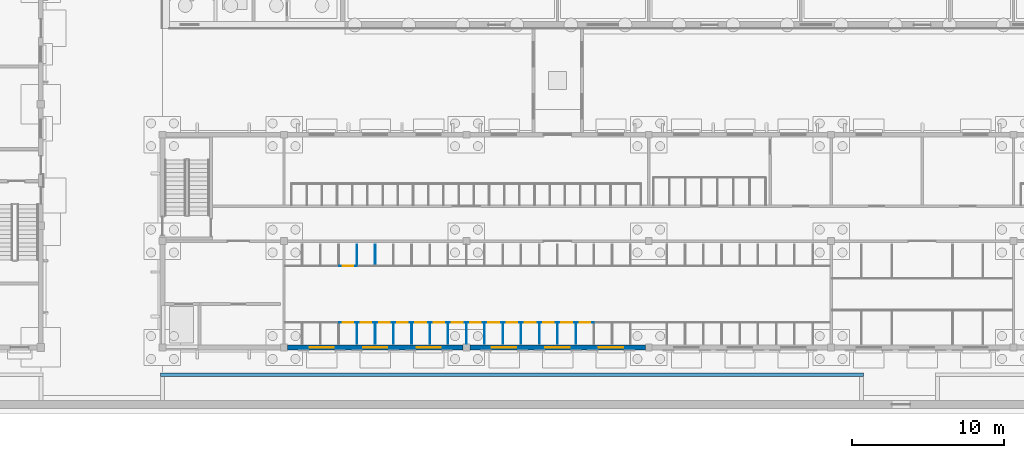
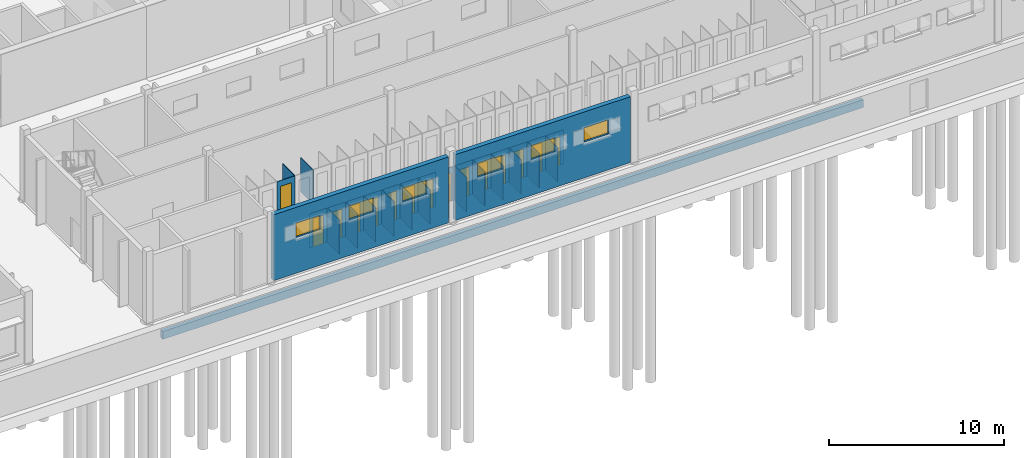
# One storey, part 79 of 157: 33 walls, 15 doors, 6 windows, 21 openings.
"""IFC4 building model written with IfcOpenShell, lengths in metres."""

from ifc_helpers import new_model, si_unit, direction, frame, frame_2d, origin, place, context, subcontext, project, spatial, rectangle, extrude, material, layer, layer_set, type_object, element, fill, save


model = new_model("IFC4")

# Units and contexts
model_context = context("Model", 3, precision=1e-05, world=origin(), true_north=direction((0.0, 1.0)))
body_context = subcontext(model_context, "Body", "Model", "MODEL_VIEW")
ifc_project = project(units=[si_unit("LENGTHUNIT", "METRE"), si_unit("AREAUNIT", "SQUARE_METRE"), si_unit("VOLUMEUNIT", "CUBIC_METRE"), si_unit("PLANEANGLEUNIT", "RADIAN"), si_unit("MASSUNIT", "GRAM", prefix="KILO")], contexts=[model_context])

# Site, building, storey
site_placement = place(None, origin())
site = spatial("IfcSite", under=ifc_project, at=site_placement, CompositionType="ELEMENT")
building_placement = place(site_placement, origin())
building = spatial("IfcBuilding", under=site, at=building_placement, Name="Windward Yard Aquatics Centre", CompositionType="ELEMENT")
storey_placement = place(building_placement, origin())
storey = spatial("IfcBuildingStorey", under=building, at=storey_placement, Name="L00", CompositionType="ELEMENT", Elevation=0.0)

# Walls
ifc_material_1 = material(Name="High-pressure laminate panel on stainless frame")
ifc_layer_1 = layer(ifc_material_1, 0.0400390625)
ifc_layer_set_1 = layer_set([ifc_layer_1], Name="C cubicle panel 40")
wall_type_1 = type_object("IfcWallType", Name="C cubicle panel 40", PredefinedType="PARTITIONING", material=ifc_layer_set_1)
for number, where, z_axis, x_axis, name in (
    (1, (64.800048828125, 5.25, 0.0), (0.0, 0.0, 1.0), (0.0, 1.0, 0.0), "C.W.L00.A.P4"),
    (2, (66.0, 5.25, 0.0), (0.0, 0.0, 1.0), (0.0, 1.0, 0.0), "C.W.L00.A.P5"),
    (3, (67.199951171875, 5.25, 0.0), (0.0, 0.0, 1.0), (0.0, 1.0, 0.0), "C.W.L00.A.P6"),
    (4, (68.39990234375, 5.25, 0.0), (0.0, 0.0, 1.0), (0.0, 1.0, 0.0), "C.W.L00.A.P7"),
    (5, (69.60009765625, 5.25, 0.0), (0.0, 0.0, 1.0), (0.0, 1.0, 0.0), "C.W.L00.A.P8"),
    (6, (70.800048828125, 5.25, 0.0), (0.0, 0.0, 1.0), (0.0, 1.0, 0.0), "C.W.L00.A.P9"),
    (7, (72.0, 5.25, 0.0), (0.0, 0.0, 1.0), (0.0, 1.0, 0.0), "C.W.L00.A.P10"),
    (8, (73.199951171875, 5.25, 0.0), (0.0, 0.0, 1.0), (0.0, 1.0, 0.0), "C.W.L00.A.P11"),
    (9, (74.39990234375, 5.25, 0.0), (0.0, 0.0, 1.0), (0.0, 1.0, 0.0), "C.W.L00.A.P12"),
    (10, (75.60009765625, 5.25, 0.0), (0.0, 0.0, 1.0), (0.0, 1.0, 0.0), "C.W.L00.A.P13"),
    (11, (76.800048828125, 5.25, 0.0), (0.0, 0.0, 1.0), (0.0, 1.0, 0.0), "C.W.L00.A.P14"),
    (12, (78.0, 5.25, 0.0), (0.0, 0.0, 1.0), (0.0, 1.0, 0.0), "C.W.L00.A.P15"),
    (13, (79.199951171875, 5.25, 0.0), (0.0, 0.0, 1.0), (0.0, 1.0, 0.0), "C.W.L00.A.P16"),
):
    element("IfcWall", number, at=place(storey_placement, frame(where, z_axis=z_axis, x_axis=x_axis)), inside=storey, type_object=wall_type_1, Name=name, PredefinedType="PARTITIONING", context=body_context, shape_type="SweptSolid", body=[
        extrude(rectangle(XDim=1.39990234375, YDim=0.0400390625, at=frame_2d((0.699951171875, 0.0))), origin(), (0.0, 0.0, 1.0), 2.39990234375),
    ])

# Wall, opening, door
wall_1_placement = place(storey_placement, frame((63.6201171875, 6.64990234375, 0.0), z_axis=(0.0, 0.0, 1.0), x_axis=(1.0, 0.0, 0.0)))
wall_1 = element("IfcWall", 14, at=wall_1_placement, inside=storey, type_object=wall_type_1, Name="C.W.L00.A.F3", PredefinedType="PARTITIONING", context=body_context, shape_type="SweptSolid", body=[
    extrude(rectangle(XDim=1.159912109375, YDim=0.0400390625, at=frame_2d((0.580078125, 0.0))), origin(), (0.0, 0.0, 1.0), 2.39990234375),
])
opening_1_placement = place(wall_1_placement, frame((0.22998046875, 0.0, 0.0)))
opening_1 = element("IfcOpeningElement", 15, at=opening_1_placement, cuts=wall_1, Name="Opening C0031", PredefinedType="OPENING", context=body_context, shape_type="SweptSolid", body=[
    extrude(rectangle(XDim=0.699951171875, YDim=2.0, at=frame_2d((0.35009765625, 1.0))), frame((0.0, 0.030029296875, 0.0), z_axis=(0.0, -1.0, 0.0), x_axis=(1.0, 0.0, 0.0)), (0.0, 0.0, 1.0), 0.06005859375),
])
ifc_material_2 = material(Name="High-pressure laminate door leaf")
door_type = type_object("IfcDoorType", Name="C door 700X2000 NOT RATED", OperationType="SINGLE_SWING_LEFT", PredefinedType="DOOR", material=ifc_material_2)
door_1_placement = place(opening_1_placement, origin())
door_1 = element("IfcDoor", 16, at=door_1_placement, inside=storey, type_object=door_type, Name="Cubicle door A4", OperationType="SINGLE_SWING_LEFT", OverallHeight=2.0, OverallWidth=0.699951171875, PredefinedType="DOOR", context=body_context, shape_type="SweptSolid", body=[
    extrude(rectangle(XDim=0.699951171875, YDim=2.0, at=frame_2d((0.35009765625, 1.0))), frame((0.0, 0.019775390625, 0.0), z_axis=(0.0, -1.0, 0.0), x_axis=(1.0, 0.0, 0.0)), (0.0, 0.0, 1.0), 0.03955078125),
])
fill(opening_1, door_1)

wall_2_placement = place(storey_placement, frame((64.820068359375, 6.64990234375, 0.0), z_axis=(0.0, 0.0, 1.0), x_axis=(1.0, 0.0, 0.0)))
wall_2 = element("IfcWall", 17, at=wall_2_placement, inside=storey, type_object=wall_type_1, Name="C.W.L00.A.F4", PredefinedType="PARTITIONING", context=body_context, shape_type="SweptSolid", body=[
    extrude(rectangle(XDim=1.159912109375, YDim=0.0400390625, at=frame_2d((0.580078125, 0.0))), origin(), (0.0, 0.0, 1.0), 2.39990234375),
])
opening_2_placement = place(wall_2_placement, frame((0.22998046875, 0.0, 0.0)))
opening_2 = element("IfcOpeningElement", 18, at=opening_2_placement, cuts=wall_2, Name="Opening C0032", PredefinedType="OPENING", context=body_context, shape_type="SweptSolid", body=[
    extrude(rectangle(XDim=0.699951171875, YDim=2.0, at=frame_2d((0.35009765625, 1.0))), frame((0.0, 0.030029296875, 0.0), z_axis=(0.0, -1.0, 0.0), x_axis=(1.0, 0.0, 0.0)), (0.0, 0.0, 1.0), 0.06005859375),
])
door_2_placement = place(opening_2_placement, origin())
door_2 = element("IfcDoor", 19, at=door_2_placement, inside=storey, type_object=door_type, Name="Cubicle door A5", OperationType="SINGLE_SWING_LEFT", OverallHeight=2.0, OverallWidth=0.699951171875, PredefinedType="DOOR", context=body_context, shape_type="SweptSolid", body=[
    extrude(rectangle(XDim=0.699951171875, YDim=2.0, at=frame_2d((0.35009765625, 1.0))), frame((0.0, 0.019775390625, 0.0), z_axis=(0.0, -1.0, 0.0), x_axis=(1.0, 0.0, 0.0)), (0.0, 0.0, 1.0), 0.03955078125),
])
fill(opening_2, door_2)

wall_3_placement = place(storey_placement, frame((66.02001953125, 6.64990234375, 0.0), z_axis=(0.0, 0.0, 1.0), x_axis=(1.0, 0.0, 0.0)))
wall_3 = element("IfcWall", 20, at=wall_3_placement, inside=storey, type_object=wall_type_1, Name="C.W.L00.A.F5", PredefinedType="PARTITIONING", context=body_context, shape_type="SweptSolid", body=[
    extrude(rectangle(XDim=1.159912109375, YDim=0.0400390625, at=frame_2d((0.580078125, 0.0))), origin(), (0.0, 0.0, 1.0), 2.39990234375),
])
opening_3_placement = place(wall_3_placement, frame((0.22998046875, 0.0, 0.0)))
opening_3 = element("IfcOpeningElement", 21, at=opening_3_placement, cuts=wall_3, Name="Opening C0033", PredefinedType="OPENING", context=body_context, shape_type="SweptSolid", body=[
    extrude(rectangle(XDim=0.699951171875, YDim=2.0, at=frame_2d((0.35009765625, 1.0))), frame((0.0, 0.030029296875, 0.0), z_axis=(0.0, -1.0, 0.0), x_axis=(1.0, 0.0, 0.0)), (0.0, 0.0, 1.0), 0.06005859375),
])
door_3_placement = place(opening_3_placement, origin())
door_3 = element("IfcDoor", 22, at=door_3_placement, inside=storey, type_object=door_type, Name="Cubicle door A6", OperationType="SINGLE_SWING_LEFT", OverallHeight=2.0, OverallWidth=0.699951171875, PredefinedType="DOOR", context=body_context, shape_type="SweptSolid", body=[
    extrude(rectangle(XDim=0.699951171875, YDim=2.0, at=frame_2d((0.35009765625, 1.0))), frame((0.0, 0.019775390625, 0.0), z_axis=(0.0, -1.0, 0.0), x_axis=(1.0, 0.0, 0.0)), (0.0, 0.0, 1.0), 0.03955078125),
])
fill(opening_3, door_3)

wall_4_placement = place(storey_placement, frame((67.219970703125, 6.64990234375, 0.0), z_axis=(0.0, 0.0, 1.0), x_axis=(1.0, 0.0, 0.0)))
wall_4 = element("IfcWall", 23, at=wall_4_placement, inside=storey, type_object=wall_type_1, Name="C.W.L00.A.F6", PredefinedType="PARTITIONING", context=body_context, shape_type="SweptSolid", body=[
    extrude(rectangle(XDim=1.159912109375, YDim=0.0400390625, at=frame_2d((0.580078125, 0.0))), origin(), (0.0, 0.0, 1.0), 2.39990234375),
])
opening_4_placement = place(wall_4_placement, frame((0.22998046875, 0.0, 0.0)))
opening_4 = element("IfcOpeningElement", 24, at=opening_4_placement, cuts=wall_4, Name="Opening C0034", PredefinedType="OPENING", context=body_context, shape_type="SweptSolid", body=[
    extrude(rectangle(XDim=0.699951171875, YDim=2.0, at=frame_2d((0.35009765625, 1.0))), frame((0.0, 0.030029296875, 0.0), z_axis=(0.0, -1.0, 0.0), x_axis=(1.0, 0.0, 0.0)), (0.0, 0.0, 1.0), 0.06005859375),
])
door_4_placement = place(opening_4_placement, origin())
door_4 = element("IfcDoor", 25, at=door_4_placement, inside=storey, type_object=door_type, Name="Cubicle door A7", OperationType="SINGLE_SWING_LEFT", OverallHeight=2.0, OverallWidth=0.699951171875, PredefinedType="DOOR", context=body_context, shape_type="SweptSolid", body=[
    extrude(rectangle(XDim=0.699951171875, YDim=2.0, at=frame_2d((0.35009765625, 1.0))), frame((0.0, 0.019775390625, 0.0), z_axis=(0.0, -1.0, 0.0), x_axis=(1.0, 0.0, 0.0)), (0.0, 0.0, 1.0), 0.03955078125),
])
fill(opening_4, door_4)

wall_5_placement = place(storey_placement, frame((68.419921875, 6.64990234375, 0.0), z_axis=(0.0, 0.0, 1.0), x_axis=(1.0, 0.0, 0.0)))
wall_5 = element("IfcWall", 26, at=wall_5_placement, inside=storey, type_object=wall_type_1, Name="C.W.L00.A.F7", PredefinedType="PARTITIONING", context=body_context, shape_type="SweptSolid", body=[
    extrude(rectangle(XDim=1.16015625, YDim=0.0400390625, at=frame_2d((0.580078125, 0.0))), origin(), (0.0, 0.0, 1.0), 2.39990234375),
])
opening_5_placement = place(wall_5_placement, frame((0.22998046875, 0.0, 0.0)))
opening_5 = element("IfcOpeningElement", 27, at=opening_5_placement, cuts=wall_5, Name="Opening C0035", PredefinedType="OPENING", context=body_context, shape_type="SweptSolid", body=[
    extrude(rectangle(XDim=0.699951171875, YDim=2.0, at=frame_2d((0.35009765625, 1.0))), frame((0.0, 0.030029296875, 0.0), z_axis=(0.0, -1.0, 0.0), x_axis=(1.0, 0.0, 0.0)), (0.0, 0.0, 1.0), 0.06005859375),
])
door_5_placement = place(opening_5_placement, origin())
door_5 = element("IfcDoor", 28, at=door_5_placement, inside=storey, type_object=door_type, Name="Cubicle door A8", OperationType="SINGLE_SWING_LEFT", OverallHeight=2.0, OverallWidth=0.699951171875, PredefinedType="DOOR", context=body_context, shape_type="SweptSolid", body=[
    extrude(rectangle(XDim=0.699951171875, YDim=2.0, at=frame_2d((0.35009765625, 1.0))), frame((0.0, 0.019775390625, 0.0), z_axis=(0.0, -1.0, 0.0), x_axis=(1.0, 0.0, 0.0)), (0.0, 0.0, 1.0), 0.03955078125),
])
fill(opening_5, door_5)

wall_6_placement = place(storey_placement, frame((69.6201171875, 6.64990234375, 0.0), z_axis=(0.0, 0.0, 1.0), x_axis=(1.0, 0.0, 0.0)))
wall_6 = element("IfcWall", 29, at=wall_6_placement, inside=storey, type_object=wall_type_1, Name="C.W.L00.A.F8", PredefinedType="PARTITIONING", context=body_context, shape_type="SweptSolid", body=[
    extrude(rectangle(XDim=1.159912109375, YDim=0.0400390625, at=frame_2d((0.580078125, 0.0))), origin(), (0.0, 0.0, 1.0), 2.39990234375),
])
opening_6_placement = place(wall_6_placement, frame((0.22998046875, 0.0, 0.0)))
opening_6 = element("IfcOpeningElement", 30, at=opening_6_placement, cuts=wall_6, Name="Opening C0036", PredefinedType="OPENING", context=body_context, shape_type="SweptSolid", body=[
    extrude(rectangle(XDim=0.699951171875, YDim=2.0, at=frame_2d((0.35009765625, 1.0))), frame((0.0, 0.030029296875, 0.0), z_axis=(0.0, -1.0, 0.0), x_axis=(1.0, 0.0, 0.0)), (0.0, 0.0, 1.0), 0.06005859375),
])
door_6_placement = place(opening_6_placement, origin())
door_6 = element("IfcDoor", 31, at=door_6_placement, inside=storey, type_object=door_type, Name="Cubicle door A9", OperationType="SINGLE_SWING_LEFT", OverallHeight=2.0, OverallWidth=0.699951171875, PredefinedType="DOOR", context=body_context, shape_type="SweptSolid", body=[
    extrude(rectangle(XDim=0.699951171875, YDim=2.0, at=frame_2d((0.35009765625, 1.0))), frame((0.0, 0.019775390625, 0.0), z_axis=(0.0, -1.0, 0.0), x_axis=(1.0, 0.0, 0.0)), (0.0, 0.0, 1.0), 0.03955078125),
])
fill(opening_6, door_6)

wall_7_placement = place(storey_placement, frame((70.820068359375, 6.64990234375, 0.0), z_axis=(0.0, 0.0, 1.0), x_axis=(1.0, 0.0, 0.0)))
wall_7 = element("IfcWall", 32, at=wall_7_placement, inside=storey, type_object=wall_type_1, Name="C.W.L00.A.F9", PredefinedType="PARTITIONING", context=body_context, shape_type="SweptSolid", body=[
    extrude(rectangle(XDim=1.159912109375, YDim=0.0400390625, at=frame_2d((0.580078125, 0.0))), origin(), (0.0, 0.0, 1.0), 2.39990234375),
])
opening_7_placement = place(wall_7_placement, frame((0.22998046875, 0.0, 0.0)))
opening_7 = element("IfcOpeningElement", 33, at=opening_7_placement, cuts=wall_7, Name="Opening C0037", PredefinedType="OPENING", context=body_context, shape_type="SweptSolid", body=[
    extrude(rectangle(XDim=0.699951171875, YDim=2.0, at=frame_2d((0.35009765625, 1.0))), frame((0.0, 0.030029296875, 0.0), z_axis=(0.0, -1.0, 0.0), x_axis=(1.0, 0.0, 0.0)), (0.0, 0.0, 1.0), 0.06005859375),
])
door_7_placement = place(opening_7_placement, origin())
door_7 = element("IfcDoor", 34, at=door_7_placement, inside=storey, type_object=door_type, Name="Cubicle door A10", OperationType="SINGLE_SWING_LEFT", OverallHeight=2.0, OverallWidth=0.699951171875, PredefinedType="DOOR", context=body_context, shape_type="SweptSolid", body=[
    extrude(rectangle(XDim=0.699951171875, YDim=2.0, at=frame_2d((0.35009765625, 1.0))), frame((0.0, 0.019775390625, 0.0), z_axis=(0.0, -1.0, 0.0), x_axis=(1.0, 0.0, 0.0)), (0.0, 0.0, 1.0), 0.03955078125),
])
fill(opening_7, door_7)

wall_8_placement = place(storey_placement, frame((72.02001953125, 6.64990234375, 0.0), z_axis=(0.0, 0.0, 1.0), x_axis=(1.0, 0.0, 0.0)))
wall_8 = element("IfcWall", 35, at=wall_8_placement, inside=storey, type_object=wall_type_1, Name="C.W.L00.A.F10", PredefinedType="PARTITIONING", context=body_context, shape_type="SweptSolid", body=[
    extrude(rectangle(XDim=1.159912109375, YDim=0.0400390625, at=frame_2d((0.580078125, 0.0))), origin(), (0.0, 0.0, 1.0), 2.39990234375),
])
opening_8_placement = place(wall_8_placement, frame((0.22998046875, 0.0, 0.0)))
opening_8 = element("IfcOpeningElement", 36, at=opening_8_placement, cuts=wall_8, Name="Opening C0038", PredefinedType="OPENING", context=body_context, shape_type="SweptSolid", body=[
    extrude(rectangle(XDim=0.699951171875, YDim=2.0, at=frame_2d((0.35009765625, 1.0))), frame((0.0, 0.030029296875, 0.0), z_axis=(0.0, -1.0, 0.0), x_axis=(1.0, 0.0, 0.0)), (0.0, 0.0, 1.0), 0.06005859375),
])
door_8_placement = place(opening_8_placement, origin())
door_8 = element("IfcDoor", 37, at=door_8_placement, inside=storey, type_object=door_type, Name="Cubicle door A11", OperationType="SINGLE_SWING_LEFT", OverallHeight=2.0, OverallWidth=0.699951171875, PredefinedType="DOOR", context=body_context, shape_type="SweptSolid", body=[
    extrude(rectangle(XDim=0.699951171875, YDim=2.0, at=frame_2d((0.35009765625, 1.0))), frame((0.0, 0.019775390625, 0.0), z_axis=(0.0, -1.0, 0.0), x_axis=(1.0, 0.0, 0.0)), (0.0, 0.0, 1.0), 0.03955078125),
])
fill(opening_8, door_8)

wall_9_placement = place(storey_placement, frame((73.219970703125, 6.64990234375, 0.0), z_axis=(0.0, 0.0, 1.0), x_axis=(1.0, 0.0, 0.0)))
wall_9 = element("IfcWall", 38, at=wall_9_placement, inside=storey, type_object=wall_type_1, Name="C.W.L00.A.F11", PredefinedType="PARTITIONING", context=body_context, shape_type="SweptSolid", body=[
    extrude(rectangle(XDim=1.159912109375, YDim=0.0400390625, at=frame_2d((0.580078125, 0.0))), origin(), (0.0, 0.0, 1.0), 2.39990234375),
])
opening_9_placement = place(wall_9_placement, frame((0.22998046875, 0.0, 0.0)))
opening_9 = element("IfcOpeningElement", 39, at=opening_9_placement, cuts=wall_9, Name="Opening C0039", PredefinedType="OPENING", context=body_context, shape_type="SweptSolid", body=[
    extrude(rectangle(XDim=0.699951171875, YDim=2.0, at=frame_2d((0.35009765625, 1.0))), frame((0.0, 0.030029296875, 0.0), z_axis=(0.0, -1.0, 0.0), x_axis=(1.0, 0.0, 0.0)), (0.0, 0.0, 1.0), 0.06005859375),
])
door_9_placement = place(opening_9_placement, origin())
door_9 = element("IfcDoor", 40, at=door_9_placement, inside=storey, type_object=door_type, Name="Cubicle door A12", OperationType="SINGLE_SWING_LEFT", OverallHeight=2.0, OverallWidth=0.699951171875, PredefinedType="DOOR", context=body_context, shape_type="SweptSolid", body=[
    extrude(rectangle(XDim=0.699951171875, YDim=2.0, at=frame_2d((0.35009765625, 1.0))), frame((0.0, 0.019775390625, 0.0), z_axis=(0.0, -1.0, 0.0), x_axis=(1.0, 0.0, 0.0)), (0.0, 0.0, 1.0), 0.03955078125),
])
fill(opening_9, door_9)

wall_10_placement = place(storey_placement, frame((74.419921875, 6.64990234375, 0.0), z_axis=(0.0, 0.0, 1.0), x_axis=(1.0, 0.0, 0.0)))
wall_10 = element("IfcWall", 41, at=wall_10_placement, inside=storey, type_object=wall_type_1, Name="C.W.L00.A.F12", PredefinedType="PARTITIONING", context=body_context, shape_type="SweptSolid", body=[
    extrude(rectangle(XDim=1.16015625, YDim=0.0400390625, at=frame_2d((0.580078125, 0.0))), origin(), (0.0, 0.0, 1.0), 2.39990234375),
])
opening_10_placement = place(wall_10_placement, frame((0.22998046875, 0.0, 0.0)))
opening_10 = element("IfcOpeningElement", 42, at=opening_10_placement, cuts=wall_10, Name="Opening C0040", PredefinedType="OPENING", context=body_context, shape_type="SweptSolid", body=[
    extrude(rectangle(XDim=0.699951171875, YDim=2.0, at=frame_2d((0.35009765625, 1.0))), frame((0.0, 0.030029296875, 0.0), z_axis=(0.0, -1.0, 0.0), x_axis=(1.0, 0.0, 0.0)), (0.0, 0.0, 1.0), 0.06005859375),
])
door_10_placement = place(opening_10_placement, origin())
door_10 = element("IfcDoor", 43, at=door_10_placement, inside=storey, type_object=door_type, Name="Cubicle door A13", OperationType="SINGLE_SWING_LEFT", OverallHeight=2.0, OverallWidth=0.699951171875, PredefinedType="DOOR", context=body_context, shape_type="SweptSolid", body=[
    extrude(rectangle(XDim=0.699951171875, YDim=2.0, at=frame_2d((0.35009765625, 1.0))), frame((0.0, 0.019775390625, 0.0), z_axis=(0.0, -1.0, 0.0), x_axis=(1.0, 0.0, 0.0)), (0.0, 0.0, 1.0), 0.03955078125),
])
fill(opening_10, door_10)

wall_11_placement = place(storey_placement, frame((75.6201171875, 6.64990234375, 0.0), z_axis=(0.0, 0.0, 1.0), x_axis=(1.0, 0.0, 0.0)))
wall_11 = element("IfcWall", 44, at=wall_11_placement, inside=storey, type_object=wall_type_1, Name="C.W.L00.A.F13", PredefinedType="PARTITIONING", context=body_context, shape_type="SweptSolid", body=[
    extrude(rectangle(XDim=1.159912109375, YDim=0.0400390625, at=frame_2d((0.580078125, 0.0))), origin(), (0.0, 0.0, 1.0), 2.39990234375),
])
opening_11_placement = place(wall_11_placement, frame((0.22998046875, 0.0, 0.0)))
opening_11 = element("IfcOpeningElement", 45, at=opening_11_placement, cuts=wall_11, Name="Opening C0041", PredefinedType="OPENING", context=body_context, shape_type="SweptSolid", body=[
    extrude(rectangle(XDim=0.699951171875, YDim=2.0, at=frame_2d((0.35009765625, 1.0))), frame((0.0, 0.030029296875, 0.0), z_axis=(0.0, -1.0, 0.0), x_axis=(1.0, 0.0, 0.0)), (0.0, 0.0, 1.0), 0.06005859375),
])
door_11_placement = place(opening_11_placement, origin())
door_11 = element("IfcDoor", 46, at=door_11_placement, inside=storey, type_object=door_type, Name="Cubicle door A14", OperationType="SINGLE_SWING_LEFT", OverallHeight=2.0, OverallWidth=0.699951171875, PredefinedType="DOOR", context=body_context, shape_type="SweptSolid", body=[
    extrude(rectangle(XDim=0.699951171875, YDim=2.0, at=frame_2d((0.35009765625, 1.0))), frame((0.0, 0.019775390625, 0.0), z_axis=(0.0, -1.0, 0.0), x_axis=(1.0, 0.0, 0.0)), (0.0, 0.0, 1.0), 0.03955078125),
])
fill(opening_11, door_11)

wall_12_placement = place(storey_placement, frame((76.820068359375, 6.64990234375, 0.0), z_axis=(0.0, 0.0, 1.0), x_axis=(1.0, 0.0, 0.0)))
wall_12 = element("IfcWall", 47, at=wall_12_placement, inside=storey, type_object=wall_type_1, Name="C.W.L00.A.F14", PredefinedType="PARTITIONING", context=body_context, shape_type="SweptSolid", body=[
    extrude(rectangle(XDim=1.159912109375, YDim=0.0400390625, at=frame_2d((0.580078125, 0.0))), origin(), (0.0, 0.0, 1.0), 2.39990234375),
])
opening_12_placement = place(wall_12_placement, frame((0.22998046875, 0.0, 0.0)))
opening_12 = element("IfcOpeningElement", 48, at=opening_12_placement, cuts=wall_12, Name="Opening C0042", PredefinedType="OPENING", context=body_context, shape_type="SweptSolid", body=[
    extrude(rectangle(XDim=0.699951171875, YDim=2.0, at=frame_2d((0.35009765625, 1.0))), frame((0.0, 0.030029296875, 0.0), z_axis=(0.0, -1.0, 0.0), x_axis=(1.0, 0.0, 0.0)), (0.0, 0.0, 1.0), 0.06005859375),
])
door_12_placement = place(opening_12_placement, origin())
door_12 = element("IfcDoor", 49, at=door_12_placement, inside=storey, type_object=door_type, Name="Cubicle door A15", OperationType="SINGLE_SWING_LEFT", OverallHeight=2.0, OverallWidth=0.699951171875, PredefinedType="DOOR", context=body_context, shape_type="SweptSolid", body=[
    extrude(rectangle(XDim=0.699951171875, YDim=2.0, at=frame_2d((0.35009765625, 1.0))), frame((0.0, 0.019775390625, 0.0), z_axis=(0.0, -1.0, 0.0), x_axis=(1.0, 0.0, 0.0)), (0.0, 0.0, 1.0), 0.03955078125),
])
fill(opening_12, door_12)

wall_13_placement = place(storey_placement, frame((78.02001953125, 6.64990234375, 0.0), z_axis=(0.0, 0.0, 1.0), x_axis=(1.0, 0.0, 0.0)))
wall_13 = element("IfcWall", 50, at=wall_13_placement, inside=storey, type_object=wall_type_1, Name="C.W.L00.A.F15", PredefinedType="PARTITIONING", context=body_context, shape_type="SweptSolid", body=[
    extrude(rectangle(XDim=1.159912109375, YDim=0.0400390625, at=frame_2d((0.580078125, 0.0))), origin(), (0.0, 0.0, 1.0), 2.39990234375),
])
opening_13_placement = place(wall_13_placement, frame((0.22998046875, 0.0, 0.0)))
opening_13 = element("IfcOpeningElement", 51, at=opening_13_placement, cuts=wall_13, Name="Opening C0043", PredefinedType="OPENING", context=body_context, shape_type="SweptSolid", body=[
    extrude(rectangle(XDim=0.699951171875, YDim=2.0, at=frame_2d((0.35009765625, 1.0))), frame((0.0, 0.030029296875, 0.0), z_axis=(0.0, -1.0, 0.0), x_axis=(1.0, 0.0, 0.0)), (0.0, 0.0, 1.0), 0.06005859375),
])
door_13_placement = place(opening_13_placement, origin())
door_13 = element("IfcDoor", 52, at=door_13_placement, inside=storey, type_object=door_type, Name="Cubicle door A16", OperationType="SINGLE_SWING_LEFT", OverallHeight=2.0, OverallWidth=0.699951171875, PredefinedType="DOOR", context=body_context, shape_type="SweptSolid", body=[
    extrude(rectangle(XDim=0.699951171875, YDim=2.0, at=frame_2d((0.35009765625, 1.0))), frame((0.0, 0.019775390625, 0.0), z_axis=(0.0, -1.0, 0.0), x_axis=(1.0, 0.0, 0.0)), (0.0, 0.0, 1.0), 0.03955078125),
])
fill(opening_13, door_13)

wall_14_placement = place(storey_placement, frame((79.219970703125, 6.64990234375, 0.0), z_axis=(0.0, 0.0, 1.0), x_axis=(1.0, 0.0, 0.0)))
wall_14 = element("IfcWall", 53, at=wall_14_placement, inside=storey, type_object=wall_type_1, Name="C.W.L00.A.F16", PredefinedType="PARTITIONING", context=body_context, shape_type="SweptSolid", body=[
    extrude(rectangle(XDim=1.159912109375, YDim=0.0400390625, at=frame_2d((0.580078125, 0.0))), origin(), (0.0, 0.0, 1.0), 2.39990234375),
])
opening_14_placement = place(wall_14_placement, frame((0.22998046875, 0.0, 0.0)))
opening_14 = element("IfcOpeningElement", 54, at=opening_14_placement, cuts=wall_14, Name="Opening C0044", PredefinedType="OPENING", context=body_context, shape_type="SweptSolid", body=[
    extrude(rectangle(XDim=0.699951171875, YDim=2.0, at=frame_2d((0.35009765625, 1.0))), frame((0.0, 0.030029296875, 0.0), z_axis=(0.0, -1.0, 0.0), x_axis=(1.0, 0.0, 0.0)), (0.0, 0.0, 1.0), 0.06005859375),
])
door_14_placement = place(opening_14_placement, origin())
door_14 = element("IfcDoor", 55, at=door_14_placement, inside=storey, type_object=door_type, Name="Cubicle door A17", OperationType="SINGLE_SWING_LEFT", OverallHeight=2.0, OverallWidth=0.699951171875, PredefinedType="DOOR", context=body_context, shape_type="SweptSolid", body=[
    extrude(rectangle(XDim=0.699951171875, YDim=2.0, at=frame_2d((0.35009765625, 1.0))), frame((0.0, 0.019775390625, 0.0), z_axis=(0.0, -1.0, 0.0), x_axis=(1.0, 0.0, 0.0)), (0.0, 0.0, 1.0), 0.03955078125),
])
fill(opening_14, door_14)

# Walls
for number, where, z_axis, x_axis, name in (
    (56, (64.800048828125, 11.75, 0.0), (0.0, 0.0, 1.0), (0.0, -1.0, 0.0), "C.W.L00.B.P4"),
    (57, (66.0, 11.75, 0.0), (0.0, 0.0, 1.0), (0.0, -1.0, 0.0), "C.W.L00.B.P5"),
):
    element("IfcWall", number, at=place(storey_placement, frame(where, z_axis=z_axis, x_axis=x_axis)), inside=storey, type_object=wall_type_1, Name=name, PredefinedType="PARTITIONING", context=body_context, shape_type="SweptSolid", body=[
        extrude(rectangle(XDim=1.39990234375, YDim=0.0400390625, at=frame_2d((0.699951171875, 0.0))), origin(), (0.0, 0.0, 1.0), 2.39990234375),
    ])

# Wall, opening, door
wall_15_placement = place(storey_placement, frame((63.6201171875, 10.35009765625, 0.0), z_axis=(0.0, 0.0, 1.0), x_axis=(1.0, 0.0, 0.0)))
wall_15 = element("IfcWall", 58, at=wall_15_placement, inside=storey, type_object=wall_type_1, Name="C.W.L00.B.F3", PredefinedType="PARTITIONING", context=body_context, shape_type="SweptSolid", body=[
    extrude(rectangle(XDim=1.159912109375, YDim=0.0400390625, at=frame_2d((0.580078125, 0.0))), origin(), (0.0, 0.0, 1.0), 2.39990234375),
])
opening_15_placement = place(wall_15_placement, frame((0.22998046875, 0.0, 0.0)))
opening_15 = element("IfcOpeningElement", 59, at=opening_15_placement, cuts=wall_15, Name="Opening C0061", PredefinedType="OPENING", context=body_context, shape_type="SweptSolid", body=[
    extrude(rectangle(XDim=0.699951171875, YDim=2.0, at=frame_2d((0.35009765625, 1.0))), frame((0.0, 0.030029296875, 0.0), z_axis=(0.0, -1.0, 0.0), x_axis=(1.0, 0.0, 0.0)), (0.0, 0.0, 1.0), 0.06005859375),
])
door_15_placement = place(opening_15_placement, origin())
door_15 = element("IfcDoor", 60, at=door_15_placement, inside=storey, type_object=door_type, Name="Cubicle door B4", OperationType="SINGLE_SWING_LEFT", OverallHeight=2.0, OverallWidth=0.699951171875, PredefinedType="DOOR", context=body_context, shape_type="SweptSolid", body=[
    extrude(rectangle(XDim=0.699951171875, YDim=2.0, at=frame_2d((0.35009765625, 1.0))), frame((0.0, 0.019775390625, 0.0), z_axis=(0.0, -1.0, 0.0), x_axis=(1.0, 0.0, 0.0)), (0.0, 0.0, 1.0), 0.03955078125),
])
fill(opening_15, door_15)

# Wall, openings, windows
ifc_material_3 = material(Name="Natural stone cladding", Category="masonry")
ifc_layer_2 = layer(ifc_material_3, 0.04, Name="Cladding")
ifc_material_4 = material(Name="Ventilated air cavity")
ifc_layer_3 = layer(ifc_material_4, 0.04, ventilated=True, Name="Ventilated cavity")
ifc_material_5 = material(Name="Mineral wool insulation")
ifc_layer_4 = layer(ifc_material_5, 0.06, Name="Insulation")
ifc_material_6 = material(Name="Concrete C35/45", Category="concrete")
ifc_layer_5 = layer(ifc_material_6, 0.16, Name="Structure")
ifc_layer_set_2 = layer_set([ifc_layer_2, ifc_layer_3, ifc_layer_4, ifc_layer_5], Name="C stone-faced external wall 300")
wall_type_2 = type_object("IfcWallType", Name="C stone-faced external wall 300", PredefinedType="ELEMENTEDWALL", material=ifc_layer_set_2)
wall_16_placement = place(storey_placement, frame((60.22509765625, 5.0, 0.0), z_axis=(0.0, 0.0, 1.0), x_axis=(1.0, 0.0, 0.0)))
wall_16 = element("IfcWall", 61, at=wall_16_placement, inside=storey, type_object=wall_type_2, Name="C.W.L00.S2", PredefinedType="ELEMENTEDWALL", context=body_context, shape_type="SweptSolid", body=[
    extrude(rectangle(XDim=11.5498046875, YDim=0.300048828125, at=frame_2d((5.77490234375, 0.0))), origin(), (0.0, 0.0, 1.0), 4.60009765625),
])
opening_16_placement = place(wall_16_placement, frame((1.458251953125, 0.0, 2.5)))
opening_16 = element("IfcOpeningElement", 62, at=opening_16_placement, cuts=wall_16, Name="Opening CW0001", PredefinedType="OPENING", context=body_context, shape_type="SweptSolid", body=[
    extrude(rectangle(XDim=1.60009765625, YDim=1.0, at=frame_2d((0.800048828125, 0.5))), frame((0.0, 0.16015625, 0.0), z_axis=(0.0, -1.0, 0.0), x_axis=(1.0, 0.0, 0.0)), (0.0, 0.0, 1.0), 0.320068359375),
])
opening_17_placement = place(wall_16_placement, frame((4.97509765625, 0.0, 2.5)))
opening_17 = element("IfcOpeningElement", 63, at=opening_17_placement, cuts=wall_16, Name="Opening CW0002", PredefinedType="OPENING", context=body_context, shape_type="SweptSolid", body=[
    extrude(rectangle(XDim=1.60009765625, YDim=1.0, at=frame_2d((0.800048828125, 0.5))), frame((0.0, 0.16015625, 0.0), z_axis=(0.0, -1.0, 0.0), x_axis=(1.0, 0.0, 0.0)), (0.0, 0.0, 1.0), 0.320068359375),
])
opening_18_placement = place(wall_16_placement, frame((8.49169921875, 0.0, 2.5)))
opening_18 = element("IfcOpeningElement", 64, at=opening_18_placement, cuts=wall_16, Name="Opening CW0003", PredefinedType="OPENING", context=body_context, shape_type="SweptSolid", body=[
    extrude(rectangle(XDim=1.60009765625, YDim=1.0, at=frame_2d((0.800048828125, 0.5))), frame((0.0, 0.16015625, 0.0), z_axis=(0.0, -1.0, 0.0), x_axis=(1.0, 0.0, 0.0)), (0.0, 0.0, 1.0), 0.320068359375),
])
ifc_material_7 = material(Name="Aluminium framed double glazing", Category="aluminium")
window_type = type_object("IfcWindowType", Name="C window 1600X1000", PartitioningType="SINGLE_PANEL", PredefinedType="WINDOW", material=ifc_material_7)
window_1_placement = place(opening_16_placement, origin())
window_1 = element("IfcWindow", 65, at=window_1_placement, inside=storey, type_object=window_type, Name="Window CW0001", OverallHeight=1.0, OverallWidth=1.60009765625, PartitioningType="SINGLE_PANEL", PredefinedType="WINDOW", context=body_context, shape_type="SweptSolid", body=[
    extrude(rectangle(XDim=1.60009765625, YDim=1.0, at=frame_2d((0.800048828125, 0.5))), frame((0.0, 0.030029296875, 0.0), z_axis=(0.0, -1.0, 0.0), x_axis=(1.0, 0.0, 0.0)), (0.0, 0.0, 1.0), 0.06005859375),
])
fill(opening_16, window_1)
window_2_placement = place(opening_17_placement, origin())
window_2 = element("IfcWindow", 66, at=window_2_placement, inside=storey, type_object=window_type, Name="Window CW0002", OverallHeight=1.0, OverallWidth=1.60009765625, PartitioningType="SINGLE_PANEL", PredefinedType="WINDOW", context=body_context, shape_type="SweptSolid", body=[
    extrude(rectangle(XDim=1.60009765625, YDim=1.0, at=frame_2d((0.800048828125, 0.5))), frame((0.0, 0.030029296875, 0.0), z_axis=(0.0, -1.0, 0.0), x_axis=(1.0, 0.0, 0.0)), (0.0, 0.0, 1.0), 0.06005859375),
])
fill(opening_17, window_2)
window_3_placement = place(opening_18_placement, origin())
window_3 = element("IfcWindow", 67, at=window_3_placement, inside=storey, type_object=window_type, Name="Window CW0003", OverallHeight=1.0, OverallWidth=1.60009765625, PartitioningType="SINGLE_PANEL", PredefinedType="WINDOW", context=body_context, shape_type="SweptSolid", body=[
    extrude(rectangle(XDim=1.60009765625, YDim=1.0, at=frame_2d((0.800048828125, 0.5))), frame((0.0, 0.030029296875, 0.0), z_axis=(0.0, -1.0, 0.0), x_axis=(1.0, 0.0, 0.0)), (0.0, 0.0, 1.0), 0.06005859375),
])
fill(opening_18, window_3)

wall_17_placement = place(storey_placement, frame((72.22509765625, 5.0, 0.0), z_axis=(0.0, 0.0, 1.0), x_axis=(1.0, 0.0, 0.0)))
wall_17 = element("IfcWall", 68, at=wall_17_placement, inside=storey, type_object=wall_type_2, Name="C.W.L00.S3", PredefinedType="ELEMENTEDWALL", context=body_context, shape_type="SweptSolid", body=[
    extrude(rectangle(XDim=11.5498046875, YDim=0.300048828125, at=frame_2d((5.77490234375, 0.0))), origin(), (0.0, 0.0, 1.0), 4.60009765625),
])
opening_19_placement = place(wall_17_placement, frame((1.458251953125, 0.0, 2.5)))
opening_19 = element("IfcOpeningElement", 69, at=opening_19_placement, cuts=wall_17, Name="Opening CW0004", PredefinedType="OPENING", context=body_context, shape_type="SweptSolid", body=[
    extrude(rectangle(XDim=1.60009765625, YDim=1.0, at=frame_2d((0.800048828125, 0.5))), frame((0.0, 0.16015625, 0.0), z_axis=(0.0, -1.0, 0.0), x_axis=(1.0, 0.0, 0.0)), (0.0, 0.0, 1.0), 0.320068359375),
])
opening_20_placement = place(wall_17_placement, frame((4.97509765625, 0.0, 2.5)))
opening_20 = element("IfcOpeningElement", 70, at=opening_20_placement, cuts=wall_17, Name="Opening CW0005", PredefinedType="OPENING", context=body_context, shape_type="SweptSolid", body=[
    extrude(rectangle(XDim=1.60009765625, YDim=1.0, at=frame_2d((0.800048828125, 0.5))), frame((0.0, 0.16015625, 0.0), z_axis=(0.0, -1.0, 0.0), x_axis=(1.0, 0.0, 0.0)), (0.0, 0.0, 1.0), 0.320068359375),
])
opening_21_placement = place(wall_17_placement, frame((8.49169921875, 0.0, 2.5)))
opening_21 = element("IfcOpeningElement", 71, at=opening_21_placement, cuts=wall_17, Name="Opening CW0006", PredefinedType="OPENING", context=body_context, shape_type="SweptSolid", body=[
    extrude(rectangle(XDim=1.60009765625, YDim=1.0, at=frame_2d((0.800048828125, 0.5))), frame((0.0, 0.16015625, 0.0), z_axis=(0.0, -1.0, 0.0), x_axis=(1.0, 0.0, 0.0)), (0.0, 0.0, 1.0), 0.320068359375),
])
window_4_placement = place(opening_19_placement, origin())
window_4 = element("IfcWindow", 72, at=window_4_placement, inside=storey, type_object=window_type, Name="Window CW0004", OverallHeight=1.0, OverallWidth=1.60009765625, PartitioningType="SINGLE_PANEL", PredefinedType="WINDOW", context=body_context, shape_type="SweptSolid", body=[
    extrude(rectangle(XDim=1.60009765625, YDim=1.0, at=frame_2d((0.800048828125, 0.5))), frame((0.0, 0.030029296875, 0.0), z_axis=(0.0, -1.0, 0.0), x_axis=(1.0, 0.0, 0.0)), (0.0, 0.0, 1.0), 0.06005859375),
])
fill(opening_19, window_4)
window_5_placement = place(opening_20_placement, origin())
window_5 = element("IfcWindow", 73, at=window_5_placement, inside=storey, type_object=window_type, Name="Window CW0005", OverallHeight=1.0, OverallWidth=1.60009765625, PartitioningType="SINGLE_PANEL", PredefinedType="WINDOW", context=body_context, shape_type="SweptSolid", body=[
    extrude(rectangle(XDim=1.60009765625, YDim=1.0, at=frame_2d((0.800048828125, 0.5))), frame((0.0, 0.030029296875, 0.0), z_axis=(0.0, -1.0, 0.0), x_axis=(1.0, 0.0, 0.0)), (0.0, 0.0, 1.0), 0.06005859375),
])
fill(opening_20, window_5)
window_6_placement = place(opening_21_placement, origin())
window_6 = element("IfcWindow", 74, at=window_6_placement, inside=storey, type_object=window_type, Name="Window CW0006", OverallHeight=1.0, OverallWidth=1.60009765625, PartitioningType="SINGLE_PANEL", PredefinedType="WINDOW", context=body_context, shape_type="SweptSolid", body=[
    extrude(rectangle(XDim=1.60009765625, YDim=1.0, at=frame_2d((0.800048828125, 0.5))), frame((0.0, 0.030029296875, 0.0), z_axis=(0.0, -1.0, 0.0), x_axis=(1.0, 0.0, 0.0)), (0.0, 0.0, 1.0), 0.06005859375),
])
fill(opening_21, window_6)

# Wall
ifc_material_8 = material(Name="Bituminous waterproofing membrane with root barrier")
ifc_layer_6 = layer(ifc_material_8, 0.005, Name="Waterproofing and root barrier")
ifc_material_9 = material(Name="Concrete C30/37", Category="concrete")
ifc_layer_7 = layer(ifc_material_9, 0.245, Name="Structure")
ifc_layer_set_3 = layer_set([ifc_layer_6, ifc_layer_7], Name="X Planter Wall Concrete C30/37 250 x 550")
wall_type_3 = type_object("IfcWallType", Name="X Planter Wall Concrete C30/37 250 x 550", PredefinedType="USERDEFINED", material=ifc_layer_set_3)
wall_18_placement = place(storey_placement, frame((51.875, 3.199951171875, -0.10009765625), z_axis=(0.0, 0.0, 1.0), x_axis=(1.0, 0.0, 0.0)))
element("IfcWall", 75, at=wall_18_placement, inside=storey, type_object=wall_type_3, Name="Rail side berm centre planter wall", ObjectType="PLANTER WALL", PredefinedType="USERDEFINED", context=body_context, shape_type="SweptSolid", body=[
    extrude(rectangle(XDim=46.25, YDim=0.25, at=frame_2d((23.125, 0.0))), origin(), (0.0, 0.0, 1.0), 0.550048828125),
])

save(model, "model.ifc")
